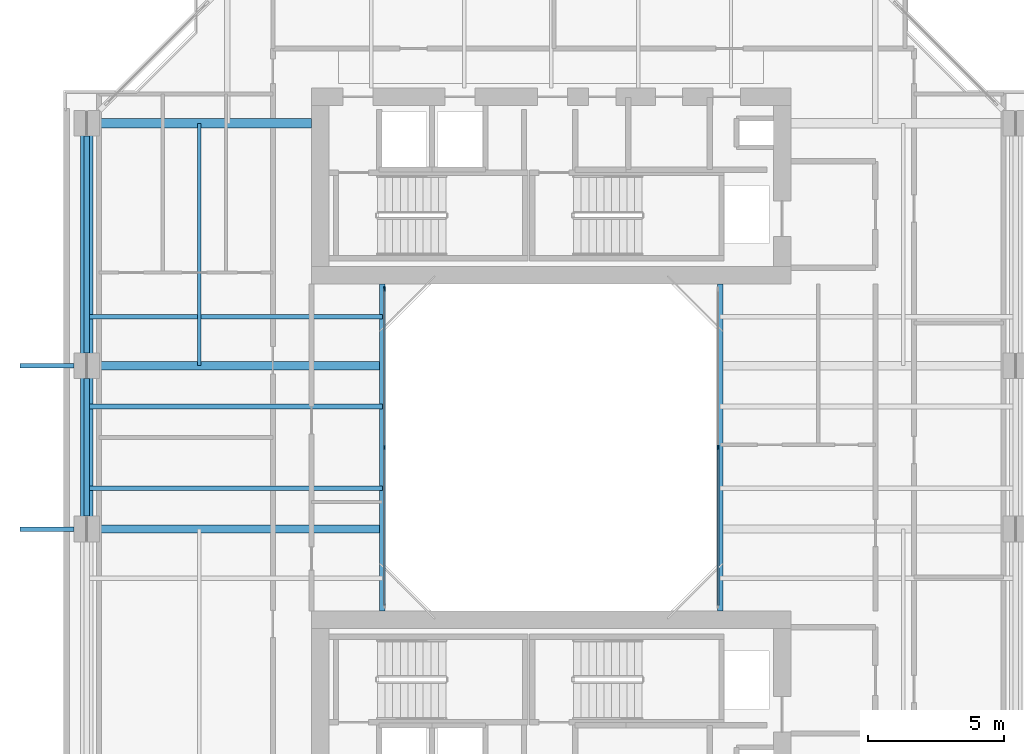
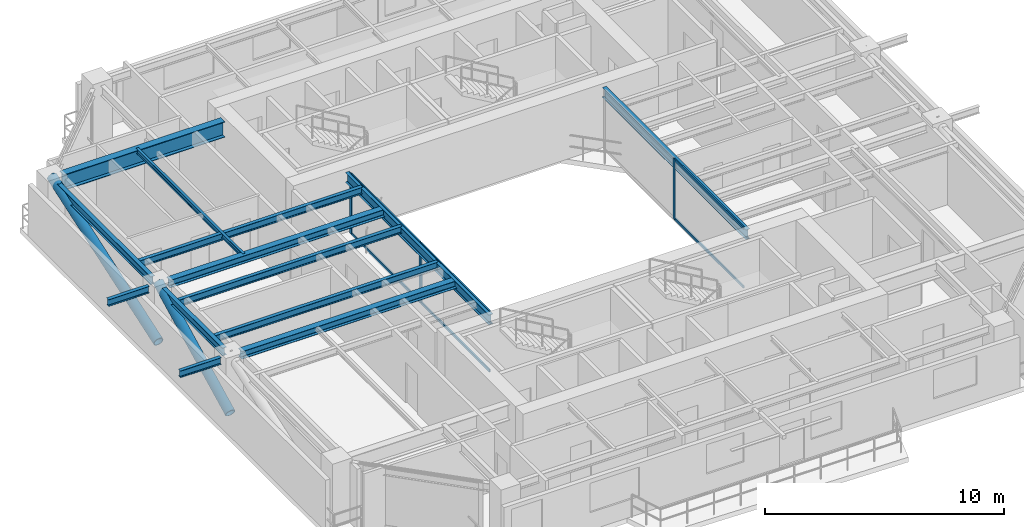
# One storey, part 4 of 14: 13 beams, 11 members, 2 elements without a shape of their own.
"""IFC4 building model written with IfcOpenShell, lengths in metres."""

from ifc_helpers import new_model, si_unit, direction, frame, origin, origin_2d, place, context, subcontext, project, spatial, rectangle, hollow_circle, i_section, extrude, source, transform, mapped, material, layer, layer_set, material_profile, profile_set, type_object, element, aggregate, save


model = new_model("IFC4")

# Units and contexts
model_context = context("Model", 3, precision=1e-05, world=origin(), true_north=direction((0.0, 1.0)))
body_context = subcontext(model_context, "Body", "Model", "MODEL_VIEW")
ifc_project = project(units=[si_unit("LENGTHUNIT", "METRE"), si_unit("AREAUNIT", "SQUARE_METRE"), si_unit("VOLUMEUNIT", "CUBIC_METRE"), si_unit("PLANEANGLEUNIT", "RADIAN"), si_unit("MASSUNIT", "GRAM", prefix="KILO"), si_unit("THERMODYNAMICTEMPERATUREUNIT", "KELVIN"), si_unit("POWERUNIT", "WATT")], contexts=[model_context])

# Site, building, storey
site_placement = place(None, origin())
site = spatial("IfcSite", under=ifc_project, at=site_placement, CompositionType="ELEMENT")
building_placement = place(site_placement, origin())
building = spatial("IfcBuilding", under=site, at=building_placement, Name="Qiaomeng Ring Towers", CompositionType="ELEMENT")
storey_placement = place(building_placement, frame((0.0, 0.0, 176.25)))
storey = spatial("IfcBuildingStorey", under=building, at=storey_placement, Name="L51", CompositionType="ELEMENT", Elevation=176.25)

# Beams
ifc_material_1 = material(Name="Steel Q355B", Category="steel")
ifc_material_profile_1 = material_profile(ifc_material_1, i_section(OverallWidth=0.199951171875, OverallDepth=0.5, WebThickness=0.010009765625, FlangeThickness=0.01611328125, FilletRadius=0.02001953125, at=origin_2d()), Name="HN 500x200x10x16")
ifc_profile_set_1 = profile_set([ifc_material_profile_1], Name="Steel Q355B")
beam_type_1 = type_object("IfcBeamType", Name="STR-BM-HN500", PredefinedType="BEAM", material=ifc_profile_set_1)
shared_shape_1 = source(origin(), body_context, "Body", "SweptSolid", [
    extrude(i_section(OverallWidth=0.199951171875, OverallDepth=0.5, WebThickness=0.010009765625, FlangeThickness=0.01611328125, FilletRadius=0.02001953125, at=origin_2d()), origin(), (0.0, 0.0, 1.0), 12.0),
])
for number, where, z_axis, x_axis, name in (
    (1, (12.800048828125, 17.0, 2.820068359375), (0.0, 1.0, 0.0), (-1.0, 0.0, 0.0), "L51 beam STR-BM-L51-WELL-W"),
    (2, (25.199951171875, 17.0, 2.820068359375), (0.0, 1.0, 0.0), (-1.0, 0.0, 0.0), "L51 beam STR-BM-L51-WELL-E"),
):
    element("IfcBeam", number, at=place(storey_placement, frame(where, z_axis=z_axis, x_axis=x_axis)), inside=storey, type_object=beam_type_1, Name=name, PredefinedType="BEAM", context=body_context, shape_type="MappedRepresentation", body=[
        mapped(shared_shape_1, transform((0.0, 0.0, 0.0), x_axis=(1.0, 0.0, 0.0), y_axis=(0.0, 1.0, 0.0), z_axis=(0.0, 0.0, 1.0), scale=1.0)),
    ])
ifc_material_profile_2 = material_profile(ifc_material_1, i_section(OverallWidth=0.175048828125, OverallDepth=0.35009765625, WebThickness=0.007080078125, FlangeThickness=0.010986328125, FilletRadius=0.013916015625, at=origin_2d()), Name="HN 350x175x7x11")
ifc_profile_set_2 = profile_set([ifc_material_profile_2], Name="Steel Q355B")
beam_type_2 = type_object("IfcBeamType", Name="STR-BM-HN350", PredefinedType="JOIST", material=ifc_profile_set_2)
shared_shape_2 = source(origin(), body_context, "Body", "SweptSolid", [
    extrude(i_section(OverallWidth=0.175048828125, OverallDepth=0.35009765625, WebThickness=0.007080078125, FlangeThickness=0.010986328125, FilletRadius=0.013916015625, at=origin_2d()), origin(), (0.0, 0.0, 1.0), 10.85009765625),
])
for number, where, z_axis, x_axis, name in (
    (3, (1.949951171875, 21.5, 2.89501953125), (1.0, 0.0, 0.0), (0.0, 1.0, 0.0), "L51 beam STR-JST-L51-T1W-2"),
    (4, (1.949951171875, 24.5, 2.89501953125), (1.0, 0.0, 0.0), (0.0, 1.0, 0.0), "L51 beam STR-JST-L51-T1W-3"),
    (5, (1.949951171875, 27.800048828125, 2.89501953125), (1.0, 0.0, 0.0), (0.0, 1.0, 0.0), "L51 beam STR-JST-L51-T1W-4"),
):
    element("IfcBeam", number, at=place(storey_placement, frame(where, z_axis=z_axis, x_axis=x_axis)), inside=storey, type_object=beam_type_2, Name=name, PredefinedType="JOIST", context=body_context, shape_type="MappedRepresentation", body=[
        mapped(shared_shape_2, transform((0.0, 0.0, 0.0), x_axis=(1.0, 0.0, 0.0), y_axis=(0.0, 1.0, 0.0), z_axis=(0.0, 0.0, 1.0), scale=1.0)),
    ])
ifc_material_profile_3 = material_profile(ifc_material_1, i_section(OverallWidth=0.125, OverallDepth=0.25, WebThickness=0.006103515625, FlangeThickness=0.009033203125, FilletRadius=0.011962890625, at=origin_2d()), Name="HN 250x125x6x9")
ifc_profile_set_3 = profile_set([ifc_material_profile_3], Name="Steel Q355B")
beam_type_3 = type_object("IfcBeamType", Name="STR-BM-HN250", PredefinedType="JOIST", material=ifc_profile_set_3)
shared_shape_3 = source(origin(), body_context, "Body", "SweptSolid", [
    extrude(i_section(OverallWidth=0.125, OverallDepth=0.25, WebThickness=0.006103515625, FlangeThickness=0.009033203125, FilletRadius=0.011962890625, at=origin_2d()), origin(), (0.0, 0.0, 1.0), 8.89990234375),
])
beam_1_placement = place(storey_placement, frame((6.074951171875, 26.0, 2.945068359375), z_axis=(0.0, 1.0, 0.0), x_axis=(-1.0, 0.0, 0.0)))
element("IfcBeam", 6, at=beam_1_placement, inside=storey, type_object=beam_type_3, Name="L51 beam STR-JST-L51-T1C-WN", PredefinedType="JOIST", context=body_context, shape_type="MappedRepresentation", body=[
    mapped(shared_shape_3, transform((0.0, 0.0, 0.0), x_axis=(1.0, 0.0, 0.0), y_axis=(0.0, 1.0, 0.0), z_axis=(0.0, 0.0, 1.0), scale=1.0)),
])
ifc_material_profile_4 = material_profile(ifc_material_1, i_section(OverallWidth=0.199951171875, OverallDepth=0.39990234375, WebThickness=0.008056640625, FlangeThickness=0.012939453125, FilletRadius=0.01611328125, at=origin_2d()), Name="HN 400x200x8x13")
ifc_profile_set_4 = profile_set([ifc_material_profile_4], Name="Steel Q355B")
beam_type_4 = type_object("IfcBeamType", Name="STR-BM-HN400", PredefinedType="SPANDREL", material=ifc_profile_set_4)
shared_shape_4 = source(origin(), body_context, "Body", "SweptSolid", [
    extrude(i_section(OverallWidth=0.199951171875, OverallDepth=0.39990234375, WebThickness=0.008056640625, FlangeThickness=0.012939453125, FilletRadius=0.01611328125, at=origin_2d()), origin(), (0.0, 0.0, 1.0), 7.951904296875),
])
beam_2_placement = place(storey_placement, frame((1.949951171875, 34.426025390625, 2.8701171875), z_axis=(0.0, -1.0, 0.0), x_axis=(1.0, 0.0, 0.0)))
element("IfcBeam", 7, at=beam_2_placement, inside=storey, type_object=beam_type_4, Name="L51 beam STR-SP-L51-T1-W4-W3", PredefinedType="SPANDREL", context=body_context, shape_type="MappedRepresentation", body=[
    mapped(shared_shape_4, transform((0.0, 0.0, 0.0), x_axis=(1.0, 0.0, 0.0), y_axis=(0.0, 1.0, 0.0), z_axis=(0.0, 0.0, 1.0), scale=1.0)),
])
shared_shape_5 = source(origin(), body_context, "Body", "SweptSolid", [
    extrude(i_section(OverallWidth=0.199951171875, OverallDepth=0.39990234375, WebThickness=0.008056640625, FlangeThickness=0.012939453125, FilletRadius=0.01611328125, at=origin_2d()), origin(), (0.0, 0.0, 1.0), 5.0517578125),
])
beam_3_placement = place(storey_placement, frame((1.949951171875, 25.52587890625, 2.8701171875), z_axis=(0.0, -1.0, 0.0), x_axis=(1.0, 0.0, 0.0)))
element("IfcBeam", 8, at=beam_3_placement, inside=storey, type_object=beam_type_4, Name="L51 beam STR-SP-L51-T1-W3-W2", PredefinedType="SPANDREL", context=body_context, shape_type="MappedRepresentation", body=[
    mapped(shared_shape_5, transform((0.0, 0.0, 0.0), x_axis=(1.0, 0.0, 0.0), y_axis=(0.0, 1.0, 0.0), z_axis=(0.0, 0.0, 1.0), scale=1.0)),
])
ifc_material_2 = material(Name="Steel Q390GJC", Category="steel")
ifc_material_profile_5 = material_profile(ifc_material_2, i_section(OverallWidth=0.35009765625, OverallDepth=0.800048828125, WebThickness=0.01611328125, FlangeThickness=0.028076171875, at=origin_2d()), Name="WH 800x350x16x28")
ifc_profile_set_5 = profile_set([ifc_material_profile_5], Name="Steel Q390GJC")
beam_type_5 = type_object("IfcBeamType", Name="STR-BM-WH800", PredefinedType="BEAM", material=ifc_profile_set_5)
shared_shape_6 = source(origin(), body_context, "Body", "SweptSolid", [
    extrude(i_section(OverallWidth=0.35009765625, OverallDepth=0.800048828125, WebThickness=0.01611328125, FlangeThickness=0.028076171875, at=origin_2d()), origin(), (0.0, 0.0, 1.0), 7.77587890625),
])
beam_4_placement = place(storey_placement, frame((2.424072265625, 34.89990234375, 2.669921875), z_axis=(1.0, 0.0, 0.0), x_axis=(0.0, 1.0, 0.0)))
element("IfcBeam", 9, at=beam_4_placement, inside=storey, type_object=beam_type_5, Name="L51 beam STR-BM-L51-T1-RAD-W4", PredefinedType="BEAM", context=body_context, shape_type="MappedRepresentation", body=[
    mapped(shared_shape_6, transform((0.0, 0.0, 0.0), x_axis=(1.0, 0.0, 0.0), y_axis=(0.0, 1.0, 0.0), z_axis=(0.0, 0.0, 1.0), scale=1.0)),
])
shared_shape_7 = source(origin(), body_context, "Body", "SweptSolid", [
    extrude(i_section(OverallWidth=0.175048828125, OverallDepth=0.35009765625, WebThickness=0.007080078125, FlangeThickness=0.010986328125, FilletRadius=0.013916015625, at=origin_2d()), origin(), (0.0, 0.0, 1.0), 1.97607421875),
])
for number, where, z_axis, x_axis, name in (
    (10, (-0.5, 20.0, 2.89501953125), (1.0, 0.0, 0.0), (0.0, 1.0, 0.0), "L51 beam STR-BALBM-L51-W2"),
    (11, (-0.5, 26.0, 2.89501953125), (1.0, 0.0, 0.0), (0.0, 1.0, 0.0), "L51 beam STR-BALBM-L51-W3"),
):
    element("IfcBeam", number, at=place(storey_placement, frame(where, z_axis=z_axis, x_axis=x_axis)), inside=storey, type_object=beam_type_2, Name=name, PredefinedType="JOIST", context=body_context, shape_type="MappedRepresentation", body=[
        mapped(shared_shape_7, transform((0.0, 0.0, 0.0), x_axis=(1.0, 0.0, 0.0), y_axis=(0.0, 1.0, 0.0), z_axis=(0.0, 0.0, 1.0), scale=1.0)),
    ])
ifc_material_profile_6 = material_profile(ifc_material_1, i_section(OverallWidth=0.300048828125, OverallDepth=0.389892578125, WebThickness=0.010009765625, FlangeThickness=0.01611328125, FilletRadius=0.02197265625, at=origin_2d()), Name="HM 390x300x10x16")
ifc_profile_set_6 = profile_set([ifc_material_profile_6], Name="Steel Q355B")
beam_type_6 = type_object("IfcBeamType", Name="STR-BM-HM390", PredefinedType="BEAM", material=ifc_profile_set_6)
shared_shape_8 = source(origin(), body_context, "Body", "SweptSolid", [
    extrude(i_section(OverallWidth=0.300048828125, OverallDepth=0.389892578125, WebThickness=0.010009765625, FlangeThickness=0.01611328125, FilletRadius=0.02197265625, at=origin_2d()), origin(), (0.0, 0.0, 1.0), 10.3759765625),
])
for number, where, z_axis, x_axis, name in (
    (12, (2.424072265625, 20.0, 2.875), (1.0, 0.0, 0.0), (0.0, 1.0, 0.0), "L51 beam STR-BM-L51-T1-RAD-W2"),
    (13, (2.424072265625, 26.0, 2.875), (1.0, 0.0, 0.0), (0.0, 1.0, 0.0), "L51 beam STR-BM-L51-T1-RAD-W3"),
):
    element("IfcBeam", number, at=place(storey_placement, frame(where, z_axis=z_axis, x_axis=x_axis)), inside=storey, type_object=beam_type_6, Name=name, PredefinedType="BEAM", context=body_context, shape_type="MappedRepresentation", body=[
        mapped(shared_shape_8, transform((0.0, 0.0, 0.0), x_axis=(1.0, 0.0, 0.0), y_axis=(0.0, 1.0, 0.0), z_axis=(0.0, 0.0, 1.0), scale=1.0)),
    ])

# Members
ifc_material_profile_7 = material_profile(ifc_material_2, hollow_circle(Radius=0.228515625, WallThickness=0.028076171875, at=origin_2d()), Name="CHS 457x28")
ifc_profile_set_7 = profile_set([ifc_material_profile_7], Name="Steel Q390GJC")
member_type_1 = type_object("IfcMemberType", Name="STR-MB-BR-457", PredefinedType="BRACE", material=ifc_profile_set_7)
shared_shape_9 = source(origin(), body_context, "Body", "SweptSolid", [
    extrude(hollow_circle(Radius=0.228515625, WallThickness=0.028076171875, at=origin_2d()), origin(), (0.0, 0.0, 1.0), 9.401611328125),
])
member_1_placement = place(storey_placement, frame((1.949951171875, 26.0, 0.02001953125), z_axis=(0.0, 0.94664097224, 0.322290039679), x_axis=(-1.0, 0.0, 0.0)))
element("IfcMember", 14, at=member_1_placement, inside=storey, type_object=member_type_1, Name="L51 Portal Bridge Truss Diagonal W-2A", PredefinedType="BRACE", context=body_context, shape_type="MappedRepresentation", body=[
    mapped(shared_shape_9, transform((0.0, 0.0, 0.0), x_axis=(1.0, 0.0, 0.0), y_axis=(0.0, 1.0, 0.0), z_axis=(0.0, 0.0, 1.0), scale=1.0)),
])
shared_shape_10 = source(origin(), body_context, "Body", "SweptSolid", [
    extrude(hollow_circle(Radius=0.228515625, WallThickness=0.028076171875, at=origin_2d()), origin(), (0.0, 0.0, 1.0), 6.7216796875),
])
member_2_placement = place(storey_placement, frame((1.949951171875, 20.0, 0.02001953125), z_axis=(0.0, 0.8926330408, 0.450784044164), x_axis=(-1.0, 0.0, 0.0)))
element("IfcMember", 15, at=member_2_placement, inside=storey, type_object=member_type_1, Name="L51 Portal Bridge Truss Diagonal W-1A", PredefinedType="BRACE", context=body_context, shape_type="MappedRepresentation", body=[
    mapped(shared_shape_10, transform((0.0, 0.0, 0.0), x_axis=(1.0, 0.0, 0.0), y_axis=(0.0, 1.0, 0.0), z_axis=(0.0, 0.0, 1.0), scale=1.0)),
])

# Curtain wall, members
ifc_material_3 = material(Name="Fluorocarbon dark-grey aluminium", Category="aluminium")
ifc_layer = layer(ifc_material_3, 0.139892578125, Name="Fluorocarbon dark-grey aluminium")
ifc_layer_set = layer_set([ifc_layer], Name="Fluorocarbon dark-grey aluminium")
curtain_wall_type = type_object("IfcCurtainWallType", Name="ARC-CW-4", PredefinedType="NOTDEFINED", material=ifc_layer_set)
curtain_wall_1_placement = place(storey_placement, origin())
curtain_wall_1 = element("IfcCurtainWall", 16, at=curtain_wall_1_placement, inside=storey, type_object=curtain_wall_type, Name="L51 Curtain Wall CW4", PredefinedType="NOTDEFINED")
ifc_material_profile_8 = material_profile(ifc_material_3, rectangle(XDim=0.06494140625, YDim=0.159912109375, at=origin_2d()), Name="ALU MULL 65x160")
ifc_profile_set_8 = profile_set([ifc_material_profile_8], Name="Fluorocarbon dark-grey aluminium")
member_type_2 = type_object("IfcMemberType", Name="ARC-CWM-140", PredefinedType="MULLION", material=ifc_profile_set_8)
shared_shape_11 = source(origin(), body_context, "Body", "SweptSolid", [
    extrude(rectangle(XDim=0.06494140625, YDim=0.159912109375, at=origin_2d()), origin(), (0.0, 0.0, 1.0), 3.070068359375),
])
member_3_placement = place(storey_placement, frame((12.8798828125, 23.0, 0.0), z_axis=(0.0, 0.0, 1.0), x_axis=(-1.0, 0.0, 0.0)))
member_3 = element("IfcMember", 17, at=member_3_placement, type_object=member_type_2, Name="CW4 mullion 2", PredefinedType="MULLION", context=body_context, shape_type="MappedRepresentation", body=[
    mapped(shared_shape_11, transform((0.0, 0.0, 0.0), x_axis=(1.0, 0.0, 0.0), y_axis=(0.0, 1.0, 0.0), z_axis=(0.0, 0.0, 1.0), scale=1.0)),
])
member_4_placement = place(storey_placement, frame((12.8798828125, 28.8173828125, 0.0), z_axis=(0.0, 0.0, 1.0), x_axis=(-1.0, 0.0, 0.0)))
member_4 = element("IfcMember", 18, at=member_4_placement, type_object=member_type_2, Name="CW4 mullion 3", PredefinedType="MULLION", context=body_context, shape_type="MappedRepresentation", body=[
    mapped(shared_shape_11, transform((0.0, 0.0, 0.0), x_axis=(1.0, 0.0, 0.0), y_axis=(0.0, 1.0, 0.0), z_axis=(0.0, 0.0, 1.0), scale=1.0)),
])

# Curtain wall, member
curtain_wall_2_placement = place(storey_placement, origin())
curtain_wall_2 = element("IfcCurtainWall", 19, at=curtain_wall_2_placement, inside=storey, type_object=curtain_wall_type, Name="L51 Curtain Wall CW4", PredefinedType="NOTDEFINED")
member_5_placement = place(storey_placement, frame((25.1201171875, 23.0, 0.0), z_axis=(0.0, 0.0, 1.0), x_axis=(-1.0, 0.0, 0.0)))
member_5 = element("IfcMember", 20, at=member_5_placement, type_object=member_type_2, Name="CW4 mullion 2", PredefinedType="MULLION", context=body_context, shape_type="MappedRepresentation", body=[
    mapped(shared_shape_11, transform((0.0, 0.0, 0.0), x_axis=(1.0, 0.0, 0.0), y_axis=(0.0, 1.0, 0.0), z_axis=(0.0, 0.0, 1.0), scale=1.0)),
])

# Member
ifc_material_profile_9 = material_profile(ifc_material_3, rectangle(XDim=0.06494140625, YDim=0.1298828125, at=origin_2d()), Name="ALU TRAN 65x130")
ifc_profile_set_9 = profile_set([ifc_material_profile_9], Name="Fluorocarbon dark-grey aluminium")
member_type_3 = type_object("IfcMemberType", Name="ARC-CWT-120", PredefinedType="USERDEFINED", material=ifc_profile_set_9)
shared_shape_12 = source(origin(), body_context, "Body", "SweptSolid", [
    extrude(rectangle(XDim=0.06494140625, YDim=0.1298828125, at=origin_2d()), origin(), (0.0, 0.0, 1.0), 5.75244140625),
])
member_6_placement = place(storey_placement, frame((12.8798828125, 17.215087890625, 0.032470703125), z_axis=(0.0, 1.0, 0.0), x_axis=(-1.0, 0.0, 0.0)))
member_6 = element("IfcMember", 21, at=member_6_placement, type_object=member_type_3, Name="CW4 transom 1.1", ObjectType="TRANSOM", PredefinedType="USERDEFINED", context=body_context, shape_type="MappedRepresentation", body=[
    mapped(shared_shape_12, transform((0.0, 0.0, 0.0), x_axis=(1.0, 0.0, 0.0), y_axis=(0.0, 1.0, 0.0), z_axis=(0.0, 0.0, 1.0), scale=1.0)),
])

member_7_placement = place(storey_placement, frame((12.8798828125, 17.215087890625, 3.03759765625), z_axis=(0.0, 1.0, 0.0), x_axis=(-1.0, 0.0, 0.0)))
member_7 = element("IfcMember", 22, at=member_7_placement, type_object=member_type_3, Name="CW4 transom 1.2", ObjectType="TRANSOM", PredefinedType="USERDEFINED", context=body_context, shape_type="MappedRepresentation", body=[
    mapped(shared_shape_12, transform((0.0, 0.0, 0.0), x_axis=(1.0, 0.0, 0.0), y_axis=(0.0, 1.0, 0.0), z_axis=(0.0, 0.0, 1.0), scale=1.0)),
])

member_8_placement = place(storey_placement, frame((12.8798828125, 23.032470703125, 0.032470703125), z_axis=(0.0, 1.0, 0.0), x_axis=(-1.0, 0.0, 0.0)))
member_8 = element("IfcMember", 23, at=member_8_placement, type_object=member_type_3, Name="CW4 transom 2.1", ObjectType="TRANSOM", PredefinedType="USERDEFINED", context=body_context, shape_type="MappedRepresentation", body=[
    mapped(shared_shape_12, transform((0.0, 0.0, 0.0), x_axis=(1.0, 0.0, 0.0), y_axis=(0.0, 1.0, 0.0), z_axis=(0.0, 0.0, 1.0), scale=1.0)),
])

member_9_placement = place(storey_placement, frame((12.8798828125, 23.032470703125, 3.03759765625), z_axis=(0.0, 1.0, 0.0), x_axis=(-1.0, 0.0, 0.0)))
member_9 = element("IfcMember", 24, at=member_9_placement, type_object=member_type_3, Name="CW4 transom 2.2", ObjectType="TRANSOM", PredefinedType="USERDEFINED", context=body_context, shape_type="MappedRepresentation", body=[
    mapped(shared_shape_12, transform((0.0, 0.0, 0.0), x_axis=(1.0, 0.0, 0.0), y_axis=(0.0, 1.0, 0.0), z_axis=(0.0, 0.0, 1.0), scale=1.0)),
])

aggregate(curtain_wall_1, [member_3, member_4, member_6, member_7, member_8, member_9])

member_10_placement = place(storey_placement, frame((25.1201171875, 17.215087890625, 0.032470703125), z_axis=(0.0, 1.0, 0.0), x_axis=(-1.0, 0.0, 0.0)))
member_10 = element("IfcMember", 25, at=member_10_placement, type_object=member_type_3, Name="CW4 transom 1.1", ObjectType="TRANSOM", PredefinedType="USERDEFINED", context=body_context, shape_type="MappedRepresentation", body=[
    mapped(shared_shape_12, transform((0.0, 0.0, 0.0), x_axis=(1.0, 0.0, 0.0), y_axis=(0.0, 1.0, 0.0), z_axis=(0.0, 0.0, 1.0), scale=1.0)),
])

member_11_placement = place(storey_placement, frame((25.1201171875, 17.215087890625, 3.03759765625), z_axis=(0.0, 1.0, 0.0), x_axis=(-1.0, 0.0, 0.0)))
member_11 = element("IfcMember", 26, at=member_11_placement, type_object=member_type_3, Name="CW4 transom 1.2", ObjectType="TRANSOM", PredefinedType="USERDEFINED", context=body_context, shape_type="MappedRepresentation", body=[
    mapped(shared_shape_12, transform((0.0, 0.0, 0.0), x_axis=(1.0, 0.0, 0.0), y_axis=(0.0, 1.0, 0.0), z_axis=(0.0, 0.0, 1.0), scale=1.0)),
])

aggregate(curtain_wall_2, [member_5, member_10, member_11])

save(model, "model.ifc")
